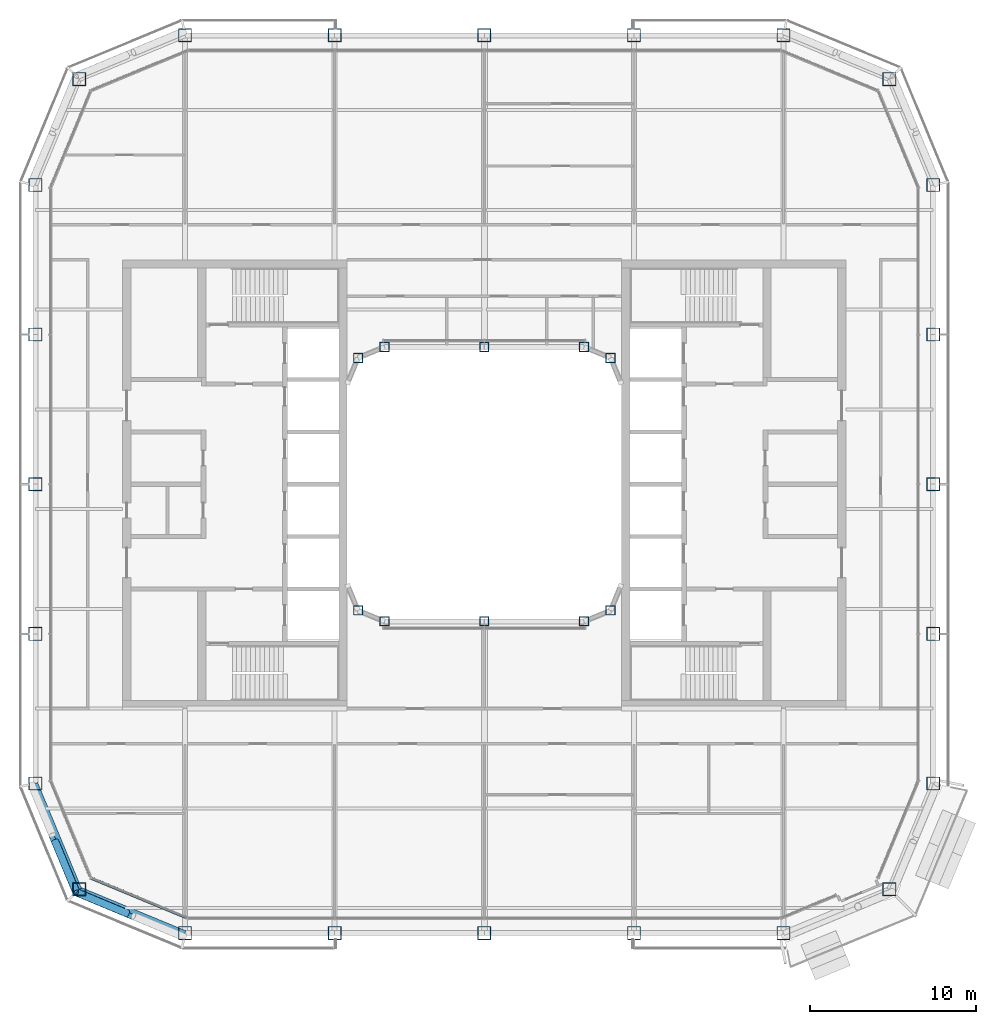
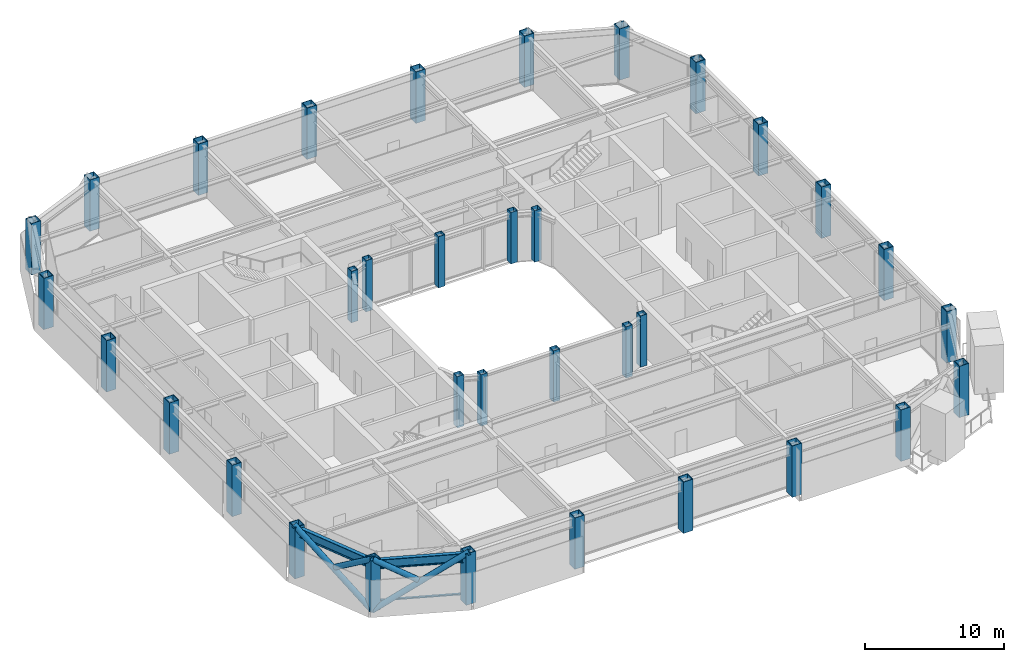
# One storey, part 1 of 23: 34 columns, 5 members, 2 beams, 1 element without a shape of its own.
"""IFC4 building model written with IfcOpenShell, lengths in metres."""

from ifc_helpers import new_model, si_unit, direction, frame, origin, origin_2d, place, context, subcontext, project, spatial, rectangle, hollow_rectangle, hollow_circle, i_section, extrude, material, layer, layer_set, material_profile, profile_set, type_object, element, aggregate, save


model = new_model("IFC4")

# Units and contexts
model_context = context("Model", 3, precision=1e-05, world=origin(), true_north=direction((0.0, 1.0)))
body_context = subcontext(model_context, "Body", "Model", "MODEL_VIEW")
ifc_project = project(units=[si_unit("LENGTHUNIT", "METRE"), si_unit("AREAUNIT", "SQUARE_METRE"), si_unit("VOLUMEUNIT", "CUBIC_METRE"), si_unit("PLANEANGLEUNIT", "RADIAN"), si_unit("MASSUNIT", "GRAM", prefix="KILO")], contexts=[model_context])

# Site, building, storey
site_placement = place(None, origin())
site = spatial("IfcSite", under=ifc_project, at=site_placement, CompositionType="ELEMENT")
building_placement = place(site_placement, origin())
building = spatial("IfcBuilding", under=site, at=building_placement, Name="Siwar Civic Tower", CompositionType="ELEMENT")
storey_placement = place(building_placement, frame((0.0, 0.0, 273.699951171875)))
storey = spatial("IfcBuildingStorey", under=building, at=storey_placement, Name="L59", CompositionType="ELEMENT", Elevation=273.699951171875)

# Columns
ifc_material_1 = material(Name="Steel S355", Category="steel")
ifc_material_profile_1 = material_profile(ifc_material_1, hollow_rectangle(XDim=0.800048828125, YDim=0.800048828125, WallThickness=0.044921875, at=origin_2d()), Name="BOX800x800x45")
ifc_profile_set_1 = profile_set([ifc_material_profile_1], Name="Steel S355")
column_type_1 = type_object("IfcColumnType", Name="STR-COL-BOX800x800x45", PredefinedType="COLUMN", material=ifc_profile_set_1)
for number, where, z_axis, x_axis, name in (
    (1, (-18.0, -27.0, 0.0), (0.0, 0.0, 1.0), (1.0, 0.0, 0.0), "L59/col/S-0"),
    (2, (-9.0, -27.0, 0.0), (0.0, 0.0, 1.0), (1.0, 0.0, 0.0), "L59/col/S-1"),
    (3, (0.0, -27.0, 0.0), (0.0, 0.0, 1.0), (1.0, 0.0, 0.0), "L59/col/S-2"),
    (4, (9.0, -27.0, 0.0), (0.0, 0.0, 1.0), (1.0, 0.0, 0.0), "L59/col/S-3"),
    (5, (18.0, -27.0, 0.0), (0.0, 0.0, 1.0), (1.0, 0.0, 0.0), "L59/col/SE1-0"),
    (6, (24.364013671875, -24.364013671875, 0.0), (0.0, 0.0, 1.0), (1.0, 0.0, 0.0), "L59/col/SE2-0"),
    (7, (27.0, -18.0, 0.0), (0.0, 0.0, 1.0), (1.0, 0.0, 0.0), "L59/col/E-0"),
    (8, (27.0, -9.0, 0.0), (0.0, 0.0, 1.0), (1.0, 0.0, 0.0), "L59/col/E-1"),
    (9, (27.0, 0.0, 0.0), (0.0, 0.0, 1.0), (1.0, 0.0, 0.0), "L59/col/E-2"),
    (10, (27.0, 9.0, 0.0), (0.0, 0.0, 1.0), (1.0, 0.0, 0.0), "L59/col/E-3"),
    (11, (27.0, 18.0, 0.0), (0.0, 0.0, 1.0), (1.0, 0.0, 0.0), "L59/col/NE1-0"),
    (12, (24.364013671875, 24.364013671875, 0.0), (0.0, 0.0, 1.0), (1.0, 0.0, 0.0), "L59/col/NE2-0"),
    (13, (18.0, 27.0, 0.0), (0.0, 0.0, 1.0), (1.0, 0.0, 0.0), "L59/col/N-0"),
    (14, (9.0, 27.0, 0.0), (0.0, 0.0, 1.0), (1.0, 0.0, 0.0), "L59/col/N-1"),
    (15, (0.0, 27.0, 0.0), (0.0, 0.0, 1.0), (1.0, 0.0, 0.0), "L59/col/N-2"),
    (16, (-9.0, 27.0, 0.0), (0.0, 0.0, 1.0), (1.0, 0.0, 0.0), "L59/col/N-3"),
    (17, (-18.0, 27.0, 0.0), (0.0, 0.0, 1.0), (1.0, 0.0, 0.0), "L59/col/NW1-0"),
    (18, (-24.364013671875, 24.364013671875, 0.0), (0.0, 0.0, 1.0), (1.0, 0.0, 0.0), "L59/col/NW2-0"),
    (19, (-27.0, 18.0, 0.0), (0.0, 0.0, 1.0), (1.0, 0.0, 0.0), "L59/col/W-0"),
    (20, (-27.0, 9.0, 0.0), (0.0, 0.0, 1.0), (1.0, 0.0, 0.0), "L59/col/W-1"),
    (21, (-27.0, 0.0, 0.0), (0.0, 0.0, 1.0), (1.0, 0.0, 0.0), "L59/col/W-2"),
    (22, (-27.0, -9.0, 0.0), (0.0, 0.0, 1.0), (1.0, 0.0, 0.0), "L59/col/W-3"),
    (23, (-27.0, -18.0, 0.0), (0.0, 0.0, 1.0), (1.0, 0.0, 0.0), "L59/col/SW1-0"),
    (24, (-24.364013671875, -24.364013671875, 0.0), (0.0, 0.0, 1.0), (1.0, 0.0, 0.0), "L59/col/SW2-0"),
):
    element("IfcColumn", number, at=place(storey_placement, frame(where, z_axis=z_axis, x_axis=x_axis)), inside=storey, type_object=column_type_1, Name=name, PredefinedType="COLUMN", context=body_context, shape_type="SweptSolid", body=[
        extrude(hollow_rectangle(XDim=0.800048828125, YDim=0.800048828125, WallThickness=0.044921875, at=origin_2d()), origin(), (0.0, 0.0, 1.0), 4.5),
    ])
ifc_material_2 = material(Name="Steel S355", Category="steel")
ifc_material_profile_2 = material_profile(ifc_material_2, hollow_rectangle(XDim=0.550048828125, YDim=0.550048828125, WallThickness=0.028076171875, at=origin_2d()), Name="BOX550x550x28")
ifc_profile_set_2 = profile_set([ifc_material_profile_2], Name="Steel S355")
column_type_2 = type_object("IfcColumnType", Name="STR-ICOL-BOX550x550x28", PredefinedType="COLUMN", material=ifc_profile_set_2)
for number, where, z_axis, x_axis, name in (
    (25, (-7.591064453125, -7.591064453125, 0.0), (0.0, 0.0, 1.0), (1.0, 0.0, 0.0), "L59/col/IS-0"),
    (26, (-6.0, -8.25, 0.0), (0.0, 0.0, 1.0), (1.0, 0.0, 0.0), "L59/col/IS-1"),
    (27, (0.0, -8.25, 0.0), (0.0, 0.0, 1.0), (1.0, 0.0, 0.0), "L59/col/IS-2"),
    (28, (6.0, -8.25, 0.0), (0.0, 0.0, 1.0), (1.0, 0.0, 0.0), "L59/col/IS-3"),
    (29, (7.591064453125, -7.591064453125, 0.0), (0.0, 0.0, 1.0), (1.0, 0.0, 0.0), "L59/col/IS-4"),
    (30, (-7.591064453125, 7.591064453125, 0.0), (0.0, 0.0, 1.0), (1.0, 0.0, 0.0), "L59/col/IN-0"),
    (31, (-6.0, 8.25, 0.0), (0.0, 0.0, 1.0), (1.0, 0.0, 0.0), "L59/col/IN-1"),
    (32, (0.0, 8.25, 0.0), (0.0, 0.0, 1.0), (1.0, 0.0, 0.0), "L59/col/IN-2"),
    (33, (6.0, 8.25, 0.0), (0.0, 0.0, 1.0), (1.0, 0.0, 0.0), "L59/col/IN-3"),
    (34, (7.591064453125, 7.591064453125, 0.0), (0.0, 0.0, 1.0), (1.0, 0.0, 0.0), "L59/col/IN-4"),
):
    element("IfcColumn", number, at=place(storey_placement, frame(where, z_axis=z_axis, x_axis=x_axis)), inside=storey, type_object=column_type_2, Name=name, PredefinedType="COLUMN", context=body_context, shape_type="SweptSolid", body=[
        extrude(hollow_rectangle(XDim=0.550048828125, YDim=0.550048828125, WallThickness=0.028076171875, at=origin_2d()), origin(), (0.0, 0.0, 1.0), 4.5),
    ])

# Curtain wall, member
ifc_material_3 = material(Name="Aluminium clad insulated panel", Category="aluminium")
ifc_layer = layer(ifc_material_3, 0.179931640625)
ifc_layer_set = layer_set([ifc_layer], Name="Aluminium clad insulated panel")
curtain_wall_type = type_object("IfcCurtainWallType", Name="ENV-CW-CX", PredefinedType="NOTDEFINED", material=ifc_layer_set)
curtain_wall_placement = place(storey_placement, origin())
curtain_wall = element("IfcCurtainWall", 35, at=curtain_wall_placement, inside=storey, type_object=curtain_wall_type, Name="Curtain wall C SW2", PredefinedType="NOTDEFINED")
ifc_material_4 = material(Name="Aluminium 6063-T6", Category="aluminium")
ifc_material_profile_3 = material_profile(ifc_material_4, rectangle(XDim=0.179931640625, YDim=0.10009765625, at=origin_2d()), Name="AL 180x100")
ifc_profile_set_3 = profile_set([ifc_material_profile_3], Name="Aluminium 6063-T6")
member_type_1 = type_object("IfcMemberType", Name="ENV-TRANSOM-C", PredefinedType="USERDEFINED", material=ifc_profile_set_3)
member_1_placement = place(storey_placement, frame((-23.6474609375, -23.6865234375, 0.050048828125), z_axis=(0.923876246063, -0.382691366456, 0.0), x_axis=(0.382691366456, 0.923876246063, 0.0)))
member_1 = element("IfcMember", 36, at=member_1_placement, type_object=member_type_1, Name="Transom C SW2 1", ObjectType="TRANSOM", PredefinedType="USERDEFINED", context=body_context, shape_type="SweptSolid", body=[
    extrude(rectangle(XDim=0.179931640625, YDim=0.10009765625, at=origin_2d()), origin(), (0.0, 0.0, 1.0), 6.20166015625),
])
aggregate(curtain_wall, [member_1])

# Members
ifc_material_5 = material(Name="Steel S355", Category="steel")
ifc_material_profile_4 = material_profile(ifc_material_5, hollow_circle(Radius=0.228515625, WallThickness=0.02001953125, at=origin_2d()), Name="CHS457x20")
ifc_profile_set_4 = profile_set([ifc_material_profile_4], Name="Steel S355")
member_type_2 = type_object("IfcMemberType", Name="STR-BR-CHS457x20", PredefinedType="BRACE", material=ifc_profile_set_4)
member_2_placement = place(storey_placement, frame((-24.540771484375, -24.540771484375, 0.0), z_axis=(0.777554562952, -0.323905527954, 0.538975055633), x_axis=(0.384538969033, 0.923108759191, 0.0)))
element("IfcMember", 37, at=member_2_placement, inside=storey, type_object=member_type_2, Name="L59/brc/CSW1-19-0-1", PredefinedType="BRACE", context=body_context, shape_type="SweptSolid", body=[
    extrude(hollow_circle(Radius=0.228515625, WallThickness=0.02001953125, at=origin_2d()), origin(), (0.0, 0.0, 1.0), 8.34912109375),
])
member_3_placement = place(storey_placement, frame((-21.486572265625, -25.81298828125, 2.383056640625), z_axis=(-0.777572496853, 0.323895306243, 0.538955325357), x_axis=(-0.38452107079, -0.92311621485, 0.0)))
element("IfcMember", 38, at=member_3_placement, inside=storey, type_object=member_type_2, Name="L59/brc/CSW1-19-0-3", PredefinedType="BRACE", context=body_context, shape_type="SweptSolid", body=[
    extrude(hollow_circle(Radius=0.228515625, WallThickness=0.02001953125, at=origin_2d()), origin(), (0.0, 0.0, 1.0), 3.927978515625),
])
member_4_placement = place(storey_placement, frame((-24.540771484375, -24.540771484375, 0.0), z_axis=(-0.323905527954, 0.777554562952, 0.538975055633), x_axis=(-0.923108759191, -0.384538969033, 0.0)))
element("IfcMember", 39, at=member_4_placement, inside=storey, type_object=member_type_2, Name="L59/brc/CSW1-19-0-0", PredefinedType="BRACE", context=body_context, shape_type="SweptSolid", body=[
    extrude(hollow_circle(Radius=0.228515625, WallThickness=0.02001953125, at=origin_2d()), origin(), (0.0, 0.0, 1.0), 8.34912109375),
])
member_5_placement = place(storey_placement, frame((-25.81298828125, -21.486572265625, 2.383056640625), z_axis=(0.323895306243, -0.777572496853, 0.538955325357), x_axis=(0.92311621485, 0.38452107079, 0.0)))
element("IfcMember", 40, at=member_5_placement, inside=storey, type_object=member_type_2, Name="L59/brc/CSW1-19-0-5", PredefinedType="BRACE", context=body_context, shape_type="SweptSolid", body=[
    extrude(hollow_circle(Radius=0.228515625, WallThickness=0.02001953125, at=origin_2d()), origin(), (0.0, 0.0, 1.0), 3.927978515625),
])

# Beams
ifc_material_6 = material(Name="Steel S355", Category="steel")
ifc_material_profile_5 = material_profile(ifc_material_6, i_section(OverallWidth=0.300048828125, OverallDepth=0.800048828125, WebThickness=0.017578125, FlangeThickness=0.032958984375, FilletRadius=0.030029296875, at=origin_2d()), Name="HEB800")
ifc_profile_set_5 = profile_set([ifc_material_profile_5], Name="Steel S355")
beam_type = type_object("IfcBeamType", Name="STR-SB-HEB800", PredefinedType="BEAM", material=ifc_profile_set_5)
for number, where, z_axis, x_axis, name in (
    (41, (-27.0, -18.0, 3.900146484375), (0.382674207535, -0.923883353507, 0.0), (0.923883353507, 0.382674207535, 0.0), "L59/bm/SSW1-0"),
    (42, (-24.364013671875, -24.364013671875, 3.900146484375), (0.923883353507, -0.382674207535, 0.0), (0.382674207535, 0.923883353507, 0.0), "L59/bm/SSW2-0"),
):
    element("IfcBeam", number, at=place(storey_placement, frame(where, z_axis=z_axis, x_axis=x_axis)), inside=storey, type_object=beam_type, Name=name, PredefinedType="BEAM", context=body_context, shape_type="SweptSolid", body=[
        extrude(i_section(OverallWidth=0.300048828125, OverallDepth=0.800048828125, WebThickness=0.017578125, FlangeThickness=0.032958984375, FilletRadius=0.030029296875, at=origin_2d()), origin(), (0.0, 0.0, 1.0), 6.888427734375),
    ])

save(model, "model.ifc")
